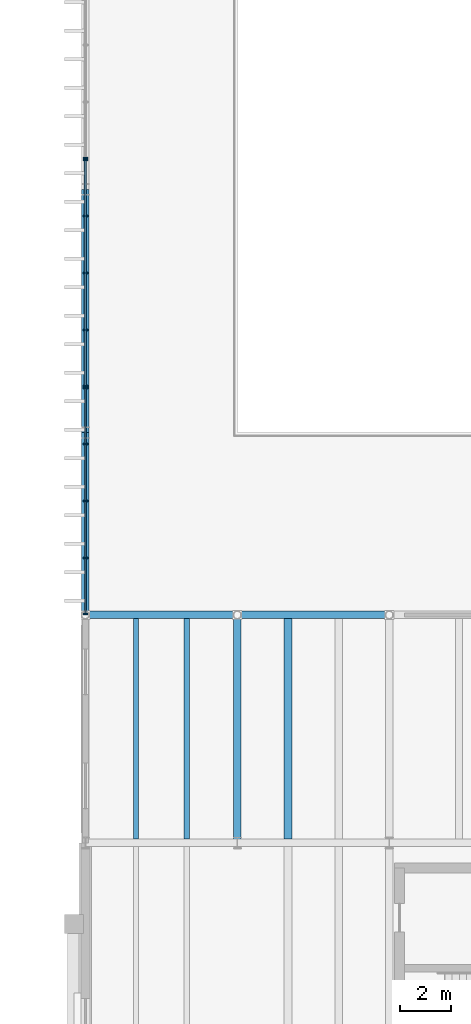
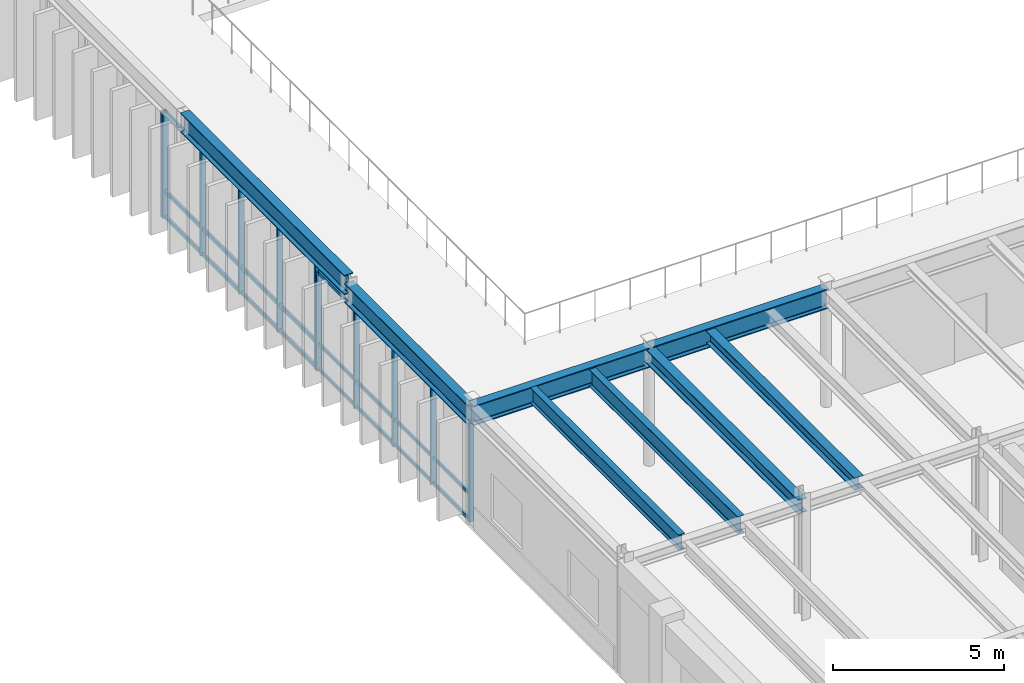
# One storey, part 19 of 64: 17 members, 8 beams, 3 elements without a shape of their own.
"""IFC4 building model written with IfcOpenShell, lengths in metres."""

from ifc_helpers import new_model, si_unit, direction, frame, origin, origin_2d, place, context, subcontext, project, spatial, rectangle, i_section, extrude, material, layer, layer_set, material_profile, profile_set, type_object, element, aggregate, save


model = new_model("IFC4")

# Units and contexts
model_context = context("Model", 3, precision=1e-05, world=origin(), true_north=direction((0.0, 1.0)))
body_context = subcontext(model_context, "Body", "Model", "MODEL_VIEW")
ifc_project = project(units=[si_unit("LENGTHUNIT", "METRE"), si_unit("AREAUNIT", "SQUARE_METRE"), si_unit("VOLUMEUNIT", "CUBIC_METRE"), si_unit("PLANEANGLEUNIT", "RADIAN"), si_unit("MASSUNIT", "GRAM", prefix="KILO")], contexts=[model_context])

# Site, building, storey
site_placement = place(None, origin())
site = spatial("IfcSite", under=ifc_project, at=site_placement, CompositionType="ELEMENT")
building_placement = place(site_placement, origin())
building = spatial("IfcBuilding", under=site, at=building_placement, Name="Montealbar Specialist Clinic", CompositionType="ELEMENT")
storey_placement = place(building_placement, frame((0.0, 0.0, 5.10009765625)))
storey = spatial("IfcBuildingStorey", under=building, at=storey_placement, Name="L01", CompositionType="ELEMENT", Elevation=5.10009765625)

# Beams
ifc_material_1 = material(Name="Steel S355", Category="steel")
ifc_material_profile_1 = material_profile(ifc_material_1, i_section(OverallWidth=0.300048828125, OverallDepth=0.5, WebThickness=0.014404296875, FlangeThickness=0.028076171875, FilletRadius=0.027099609375, at=origin_2d()), Name="HEB 500", Category="steel")
ifc_profile_set_1 = profile_set([ifc_material_profile_1], Name="Steel S355")
beam_type_1 = type_object("IfcBeamType", Name="BM-GIRD-HEB500-EXT", PredefinedType="BEAM", material=ifc_profile_set_1)
beam_1_placement = place(storey_placement, frame((60.0, 36.0, 3.929931640625), z_axis=(0.0, 1.0, 0.0), x_axis=(-1.0, 0.0, 0.0)))
element("IfcBeam", 1, at=beam_1_placement, inside=storey, type_object=beam_type_1, Name="Beam GY-L01-600-360-450", PredefinedType="BEAM", context=body_context, shape_type="SweptSolid", body=[
    extrude(i_section(OverallWidth=0.300048828125, OverallDepth=0.5, WebThickness=0.014404296875, FlangeThickness=0.028076171875, FilletRadius=0.027099609375, at=origin_2d()), origin(), (0.0, 0.0, 1.0), 9.0),
])
ifc_material_profile_2 = material_profile(ifc_material_1, i_section(OverallWidth=0.300048828125, OverallDepth=0.43994140625, WebThickness=0.011474609375, FlangeThickness=0.02099609375, FilletRadius=0.027099609375, at=origin_2d()), Name="HEA 450", Category="steel")
ifc_profile_set_2 = profile_set([ifc_material_profile_2], Name="Steel S355")
beam_type_2 = type_object("IfcBeamType", Name="BM-JST-HEA450", PredefinedType="JOIST", material=ifc_profile_set_2)
beam_2_placement = place(storey_placement, frame((62.0, 36.14990234375, 3.9599609375), z_axis=(0.0, 1.0, 0.0), x_axis=(-1.0, 0.0, 0.0)))
element("IfcBeam", 2, at=beam_2_placement, inside=storey, type_object=beam_type_2, Name="Beam JST-L01-620-362-448", PredefinedType="JOIST", context=body_context, shape_type="SweptSolid", body=[
    extrude(i_section(OverallWidth=0.300048828125, OverallDepth=0.43994140625, WebThickness=0.011474609375, FlangeThickness=0.02099609375, FilletRadius=0.027099609375, at=origin_2d()), origin(), (0.0, 0.0, 1.0), 8.7001953125),
])
ifc_material_profile_3 = material_profile(ifc_material_1, i_section(OverallWidth=0.2099609375, OverallDepth=0.550048828125, WebThickness=0.010986328125, FlangeThickness=0.01708984375, FilletRadius=0.02392578125, at=origin_2d()), Name="IPE 550", Category="steel")
ifc_profile_set_3 = profile_set([ifc_material_profile_3], Name="Steel S355")
beam_type_3 = type_object("IfcBeamType", Name="BM-JST-IPE550", PredefinedType="JOIST", material=ifc_profile_set_3)
beam_3_placement = place(storey_placement, frame((56.0, 36.14990234375, 3.954833984375), z_axis=(0.0, 1.0, 0.0), x_axis=(-1.0, 0.0, 0.0)))
element("IfcBeam", 3, at=beam_3_placement, inside=storey, type_object=beam_type_3, Name="Beam JST-L01-560-362-448", PredefinedType="JOIST", context=body_context, shape_type="SweptSolid", body=[
    extrude(i_section(OverallWidth=0.2099609375, OverallDepth=0.550048828125, WebThickness=0.010986328125, FlangeThickness=0.01708984375, FilletRadius=0.02392578125, at=origin_2d()), origin(), (0.0, 0.0, 1.0), 8.7001953125),
])
ifc_material_profile_4 = material_profile(ifc_material_1, i_section(OverallWidth=0.219970703125, OverallDepth=0.60009765625, WebThickness=0.011962890625, FlangeThickness=0.01904296875, FilletRadius=0.02392578125, at=origin_2d()), Name="IPE 600", Category="steel")
ifc_profile_set_4 = profile_set([ifc_material_profile_4], Name="Steel S355")
beam_type_4 = type_object("IfcBeamType", Name="BM-JST-IPE600", PredefinedType="JOIST", material=ifc_profile_set_4)
beam_4_placement = place(storey_placement, frame((58.0, 36.14990234375, 3.8798828125), z_axis=(0.0, 1.0, 0.0), x_axis=(-1.0, 0.0, 0.0)))
element("IfcBeam", 4, at=beam_4_placement, inside=storey, type_object=beam_type_4, Name="Beam JST-L01-580-362-448", PredefinedType="JOIST", context=body_context, shape_type="SweptSolid", body=[
    extrude(i_section(OverallWidth=0.219970703125, OverallDepth=0.60009765625, WebThickness=0.011962890625, FlangeThickness=0.01904296875, FilletRadius=0.02392578125, at=origin_2d()), origin(), (0.0, 0.0, 1.0), 8.7001953125),
])
ifc_material_profile_5 = material_profile(ifc_material_1, i_section(OverallWidth=0.300048828125, OverallDepth=0.699951171875, WebThickness=0.01708984375, FlangeThickness=0.031982421875, FilletRadius=0.027099609375, at=origin_2d()), Name="HEB 700", Category="steel")
ifc_profile_set_5 = profile_set([ifc_material_profile_5], Name="Steel S355")
beam_type_5 = type_object("IfcBeamType", Name="BM-RING-HEB700-EXT", PredefinedType="BEAM", material=ifc_profile_set_5)
for number, where, z_axis, x_axis, name in (
    (5, (54.0, 45.0, 3.8798828125), (1.0, 0.0, 0.0), (0.0, 1.0, 0.0), "Gridshell perimeter ring beam RB-01 X 54.0-60.0"),
    (6, (60.0, 45.0, 3.8798828125), (1.0, 0.0, 0.0), (0.0, 1.0, 0.0), "Gridshell perimeter ring beam RB-01 X 60.0-66.0"),
):
    element("IfcBeam", number, at=place(storey_placement, frame(where, z_axis=z_axis, x_axis=x_axis)), inside=storey, type_object=beam_type_5, Name=name, PredefinedType="BEAM", context=body_context, shape_type="SweptSolid", body=[
        extrude(i_section(OverallWidth=0.300048828125, OverallDepth=0.699951171875, WebThickness=0.01708984375, FlangeThickness=0.031982421875, FilletRadius=0.027099609375, at=origin_2d()), origin(), (0.0, 0.0, 1.0), 6.0),
    ])
beam_5_placement = place(storey_placement, frame((54.0, 45.0, 3.8798828125), z_axis=(0.0, 1.0, 0.0), x_axis=(-1.0, 0.0, 0.0)))
element("IfcBeam", 7, at=beam_5_placement, inside=storey, type_object=beam_type_5, Name="Gridshell perimeter ring beam RB-01 Y 45.0-52.2", PredefinedType="BEAM", context=body_context, shape_type="SweptSolid", body=[
    extrude(i_section(OverallWidth=0.300048828125, OverallDepth=0.699951171875, WebThickness=0.01708984375, FlangeThickness=0.031982421875, FilletRadius=0.027099609375, at=origin_2d()), origin(), (0.0, 0.0, 1.0), 7.199951171875),
])
beam_6_placement = place(storey_placement, frame((54.0, 52.199951171875, 4.14990234375), z_axis=(0.0, 1.0, 0.0), x_axis=(-1.0, 0.0, 0.0)))
element("IfcBeam", 8, at=beam_6_placement, inside=storey, type_object=beam_type_5, Name="Gridshell perimeter ring beam RB-01 Y 52.2-61.8", PredefinedType="BEAM", context=body_context, shape_type="SweptSolid", body=[
    extrude(i_section(OverallWidth=0.300048828125, OverallDepth=0.699951171875, WebThickness=0.01708984375, FlangeThickness=0.031982421875, FilletRadius=0.027099609375, at=origin_2d()), origin(), (0.0, 0.0, 1.0), 9.60009765625),
])

# Curtain wall, members
ifc_material_2 = material(Name="Low-E double glazing", Category="glass")
ifc_layer_1 = layer(ifc_material_2, 0.199951171875, Name="Low-E double glazing", Category="glass")
ifc_layer_set_1 = layer_set([ifc_layer_1], Name="Low-E double glazing")
curtain_wall_type_1 = type_object("IfcCurtainWallType", Name="CW-TYPE-07", PredefinedType="NOTDEFINED", material=ifc_layer_set_1)
curtain_wall_1_placement = place(storey_placement, origin())
curtain_wall_1 = element("IfcCurtainWall", 9, at=curtain_wall_1_placement, inside=storey, type_object=curtain_wall_type_1, Name="Unitised Curtain Wall CW-L01-540-450-540-540-51", PredefinedType="NOTDEFINED")
ifc_material_3 = material(Name="Anodised aluminium EN AW-6063", Category="aluminium")
ifc_material_profile_6 = material_profile(ifc_material_3, rectangle(XDim=0.070068359375, YDim=0.179931640625, at=origin_2d()), Name="ALU 70x180", Category="aluminium")
ifc_profile_set_6 = profile_set([ifc_material_profile_6], Name="Anodised aluminium EN AW-6063")
member_type_1 = type_object("IfcMemberType", Name="CW-MUL-200", PredefinedType="MULLION", material=ifc_profile_set_6)
member_1_placement = place(storey_placement, frame((54.0, 45.0400390625, 0.0), z_axis=(0.0, 0.0, 1.0), x_axis=(0.0, 1.0, 0.0)))
member_1 = element("IfcMember", 10, at=member_1_placement, type_object=member_type_1, Name="Curtain Wall Mullion CW-L01-540-450-540-540-51-00", PredefinedType="MULLION", context=body_context, shape_type="SweptSolid", body=[
    extrude(rectangle(XDim=0.070068359375, YDim=0.179931640625, at=origin_2d()), origin(), (0.0, 0.0, 1.0), 3.52978515625),
])
member_2_placement = place(storey_placement, frame((54.0, 47.25, 0.0), z_axis=(0.0, 0.0, 1.0), x_axis=(0.0, 1.0, 0.0)))
member_2 = element("IfcMember", 11, at=member_2_placement, type_object=member_type_1, Name="Curtain Wall Mullion CW-L01-540-450-540-540-51-01", PredefinedType="MULLION", context=body_context, shape_type="SweptSolid", body=[
    extrude(rectangle(XDim=0.070068359375, YDim=0.179931640625, at=origin_2d()), origin(), (0.0, 0.0, 1.0), 3.52978515625),
])
member_3_placement = place(storey_placement, frame((54.0, 49.5, 0.0), z_axis=(0.0, 0.0, 1.0), x_axis=(0.0, 1.0, 0.0)))
member_3 = element("IfcMember", 12, at=member_3_placement, type_object=member_type_1, Name="Curtain Wall Mullion CW-L01-540-450-540-540-51-02", PredefinedType="MULLION", context=body_context, shape_type="SweptSolid", body=[
    extrude(rectangle(XDim=0.070068359375, YDim=0.179931640625, at=origin_2d()), origin(), (0.0, 0.0, 1.0), 3.52978515625),
])
member_4_placement = place(storey_placement, frame((54.0, 51.75, 0.0), z_axis=(0.0, 0.0, 1.0), x_axis=(0.0, 1.0, 0.0)))
member_4 = element("IfcMember", 13, at=member_4_placement, type_object=member_type_1, Name="Curtain Wall Mullion CW-L01-540-450-540-540-51-03", PredefinedType="MULLION", context=body_context, shape_type="SweptSolid", body=[
    extrude(rectangle(XDim=0.070068359375, YDim=0.179931640625, at=origin_2d()), origin(), (0.0, 0.0, 1.0), 3.52978515625),
])
member_5_placement = place(storey_placement, frame((54.0, 53.9599609375, 0.0), z_axis=(0.0, 0.0, 1.0), x_axis=(0.0, 1.0, 0.0)))
member_5 = element("IfcMember", 14, at=member_5_placement, type_object=member_type_1, Name="Curtain Wall Mullion CW-L01-540-450-540-540-51-04", PredefinedType="MULLION", context=body_context, shape_type="SweptSolid", body=[
    extrude(rectangle(XDim=0.070068359375, YDim=0.179931640625, at=origin_2d()), origin(), (0.0, 0.0, 1.0), 3.52978515625),
])

ifc_layer_2 = layer(ifc_material_2, 0.199951171875, Name="Low-E double glazing", Category="glass")
ifc_layer_set_2 = layer_set([ifc_layer_2], Name="Low-E double glazing")
curtain_wall_type_2 = type_object("IfcCurtainWallType", Name="CW-TYPE-08", PredefinedType="NOTDEFINED", material=ifc_layer_set_2)
curtain_wall_2_placement = place(storey_placement, origin())
curtain_wall_2 = element("IfcCurtainWall", 15, at=curtain_wall_2_placement, inside=storey, type_object=curtain_wall_type_2, Name="Unitised Curtain Wall CW-L01-540-540-540-630-51", PredefinedType="NOTDEFINED")
member_6_placement = place(storey_placement, frame((54.0, 54.0400390625, 0.0), z_axis=(0.0, 0.0, 1.0), x_axis=(0.0, 1.0, 0.0)))
member_6 = element("IfcMember", 16, at=member_6_placement, type_object=member_type_1, Name="Curtain Wall Mullion CW-L01-540-540-540-630-51-00", PredefinedType="MULLION", context=body_context, shape_type="SweptSolid", body=[
    extrude(rectangle(XDim=0.070068359375, YDim=0.179931640625, at=origin_2d()), origin(), (0.0, 0.0, 1.0), 3.7998046875),
])
member_7_placement = place(storey_placement, frame((54.0, 56.25, 0.0), z_axis=(0.0, 0.0, 1.0), x_axis=(0.0, 1.0, 0.0)))
member_7 = element("IfcMember", 17, at=member_7_placement, type_object=member_type_1, Name="Curtain Wall Mullion CW-L01-540-540-540-630-51-01", PredefinedType="MULLION", context=body_context, shape_type="SweptSolid", body=[
    extrude(rectangle(XDim=0.070068359375, YDim=0.179931640625, at=origin_2d()), origin(), (0.0, 0.0, 1.0), 3.7998046875),
])
member_8_placement = place(storey_placement, frame((54.0, 58.5, 0.0), z_axis=(0.0, 0.0, 1.0), x_axis=(0.0, 1.0, 0.0)))
member_8 = element("IfcMember", 18, at=member_8_placement, type_object=member_type_1, Name="Curtain Wall Mullion CW-L01-540-540-540-630-51-02", PredefinedType="MULLION", context=body_context, shape_type="SweptSolid", body=[
    extrude(rectangle(XDim=0.070068359375, YDim=0.179931640625, at=origin_2d()), origin(), (0.0, 0.0, 1.0), 3.7998046875),
])
member_9_placement = place(storey_placement, frame((54.0, 60.75, 0.0), z_axis=(0.0, 0.0, 1.0), x_axis=(0.0, 1.0, 0.0)))
member_9 = element("IfcMember", 19, at=member_9_placement, type_object=member_type_1, Name="Curtain Wall Mullion CW-L01-540-540-540-630-51-03", PredefinedType="MULLION", context=body_context, shape_type="SweptSolid", body=[
    extrude(rectangle(XDim=0.070068359375, YDim=0.179931640625, at=origin_2d()), origin(), (0.0, 0.0, 1.0), 3.7998046875),
])
member_10_placement = place(storey_placement, frame((54.0, 62.9599609375, 0.0), z_axis=(0.0, 0.0, 1.0), x_axis=(0.0, 1.0, 0.0)))
member_10 = element("IfcMember", 20, at=member_10_placement, type_object=member_type_1, Name="Curtain Wall Mullion CW-L01-540-540-540-630-51-04", PredefinedType="MULLION", context=body_context, shape_type="SweptSolid", body=[
    extrude(rectangle(XDim=0.070068359375, YDim=0.179931640625, at=origin_2d()), origin(), (0.0, 0.0, 1.0), 3.7998046875),
])

# Curtain wall, member
curtain_wall_3_placement = place(storey_placement, origin())
curtain_wall_3 = element("IfcCurtainWall", 21, at=curtain_wall_3_placement, inside=storey, type_object=curtain_wall_type_2, Name="Unitised Curtain Wall CW-L01-540-630-540-720-51", PredefinedType="NOTDEFINED")
member_11_placement = place(storey_placement, frame((54.0, 63.0400390625, 0.0), z_axis=(0.0, 0.0, 1.0), x_axis=(0.0, 1.0, 0.0)))
member_11 = element("IfcMember", 22, at=member_11_placement, type_object=member_type_1, Name="Curtain Wall Mullion CW-L01-540-630-540-720-51-00", PredefinedType="MULLION", context=body_context, shape_type="SweptSolid", body=[
    extrude(rectangle(XDim=0.070068359375, YDim=0.179931640625, at=origin_2d()), origin(), (0.0, 0.0, 1.0), 3.7998046875),
])
aggregate(curtain_wall_3, [member_11])

# Member
ifc_material_4 = material(Name="Powder-coated aluminium", Category="aluminium")
ifc_material_profile_7 = material_profile(ifc_material_4, rectangle(XDim=0.06005859375, YDim=0.1201171875, at=origin_2d()), Name="ALU 60x120", Category="aluminium")
ifc_profile_set_7 = profile_set([ifc_material_profile_7], Name="Powder-coated aluminium")
member_type_2 = type_object("IfcMemberType", Name="CW-TRN-120", PredefinedType="USERDEFINED", material=ifc_profile_set_7)
member_12_placement = place(storey_placement, frame((54.0, 45.050048828125, 0.039794921875), z_axis=(0.0, 1.0, 0.0), x_axis=(-1.0, 0.0, 0.0)))
member_12 = element("IfcMember", 23, at=member_12_placement, type_object=member_type_2, Name="Curtain Wall Transom CW-L01-540-450-540-540-51-00", ObjectType="TRANSOM", PredefinedType="USERDEFINED", context=body_context, shape_type="SweptSolid", body=[
    extrude(rectangle(XDim=0.06005859375, YDim=0.1201171875, at=origin_2d()), origin(), (0.0, 0.0, 1.0), 8.89990234375),
])

member_13_placement = place(storey_placement, frame((54.0, 45.050048828125, 0.949951171875), z_axis=(0.0, 1.0, 0.0), x_axis=(-1.0, 0.0, 0.0)))
member_13 = element("IfcMember", 24, at=member_13_placement, type_object=member_type_2, Name="Curtain Wall Transom CW-L01-540-450-540-540-51-01", ObjectType="TRANSOM", PredefinedType="USERDEFINED", context=body_context, shape_type="SweptSolid", body=[
    extrude(rectangle(XDim=0.06005859375, YDim=0.1201171875, at=origin_2d()), origin(), (0.0, 0.0, 1.0), 8.89990234375),
])

member_14_placement = place(storey_placement, frame((54.0, 45.050048828125, 3.489990234375), z_axis=(0.0, 1.0, 0.0), x_axis=(-1.0, 0.0, 0.0)))
member_14 = element("IfcMember", 25, at=member_14_placement, type_object=member_type_2, Name="Curtain Wall Transom CW-L01-540-450-540-540-51-02", ObjectType="TRANSOM", PredefinedType="USERDEFINED", context=body_context, shape_type="SweptSolid", body=[
    extrude(rectangle(XDim=0.06005859375, YDim=0.1201171875, at=origin_2d()), origin(), (0.0, 0.0, 1.0), 8.89990234375),
])

aggregate(curtain_wall_1, [member_1, member_2, member_3, member_4, member_5, member_12, member_13, member_14])

ifc_material_profile_8 = material_profile(ifc_material_4, rectangle(XDim=0.070068359375, YDim=0.139892578125, at=origin_2d()), Name="ALU 70x140", Category="aluminium")
ifc_profile_set_8 = profile_set([ifc_material_profile_8], Name="Powder-coated aluminium")
member_type_3 = type_object("IfcMemberType", Name="CW-TRN-140", PredefinedType="USERDEFINED", material=ifc_profile_set_8)
member_15_placement = place(storey_placement, frame((54.0, 54.050048828125, 0.039794921875), z_axis=(0.0, 1.0, 0.0), x_axis=(-1.0, 0.0, 0.0)))
member_15 = element("IfcMember", 26, at=member_15_placement, type_object=member_type_3, Name="Curtain Wall Transom CW-L01-540-540-540-630-51-00", ObjectType="TRANSOM", PredefinedType="USERDEFINED", context=body_context, shape_type="SweptSolid", body=[
    extrude(rectangle(XDim=0.070068359375, YDim=0.139892578125, at=origin_2d()), origin(), (0.0, 0.0, 1.0), 8.89990234375),
])

member_16_placement = place(storey_placement, frame((54.0, 54.050048828125, 0.949951171875), z_axis=(0.0, 1.0, 0.0), x_axis=(-1.0, 0.0, 0.0)))
member_16 = element("IfcMember", 27, at=member_16_placement, type_object=member_type_3, Name="Curtain Wall Transom CW-L01-540-540-540-630-51-01", ObjectType="TRANSOM", PredefinedType="USERDEFINED", context=body_context, shape_type="SweptSolid", body=[
    extrude(rectangle(XDim=0.070068359375, YDim=0.139892578125, at=origin_2d()), origin(), (0.0, 0.0, 1.0), 8.89990234375),
])

member_17_placement = place(storey_placement, frame((54.0, 54.050048828125, 3.760009765625), z_axis=(0.0, 1.0, 0.0), x_axis=(-1.0, 0.0, 0.0)))
member_17 = element("IfcMember", 28, at=member_17_placement, type_object=member_type_3, Name="Curtain Wall Transom CW-L01-540-540-540-630-51-02", ObjectType="TRANSOM", PredefinedType="USERDEFINED", context=body_context, shape_type="SweptSolid", body=[
    extrude(rectangle(XDim=0.070068359375, YDim=0.139892578125, at=origin_2d()), origin(), (0.0, 0.0, 1.0), 8.89990234375),
])

aggregate(curtain_wall_2, [member_6, member_7, member_8, member_9, member_10, member_15, member_16, member_17])

save(model, "model.ifc")
